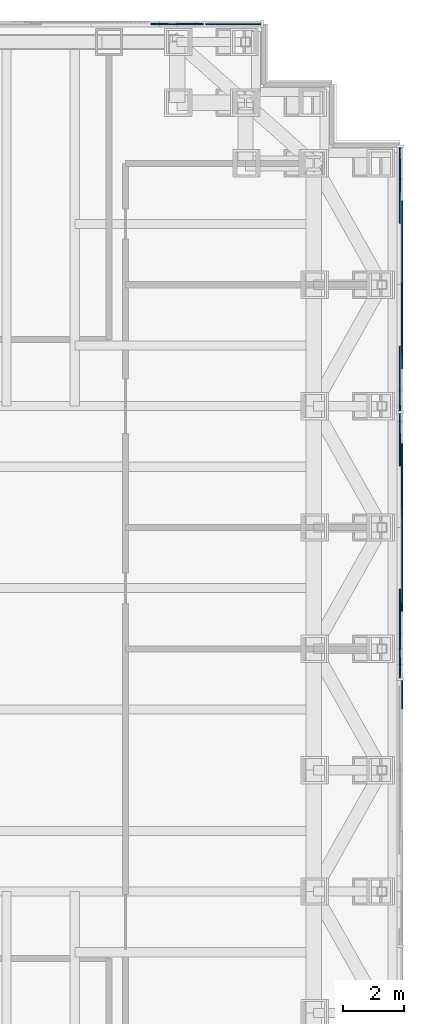
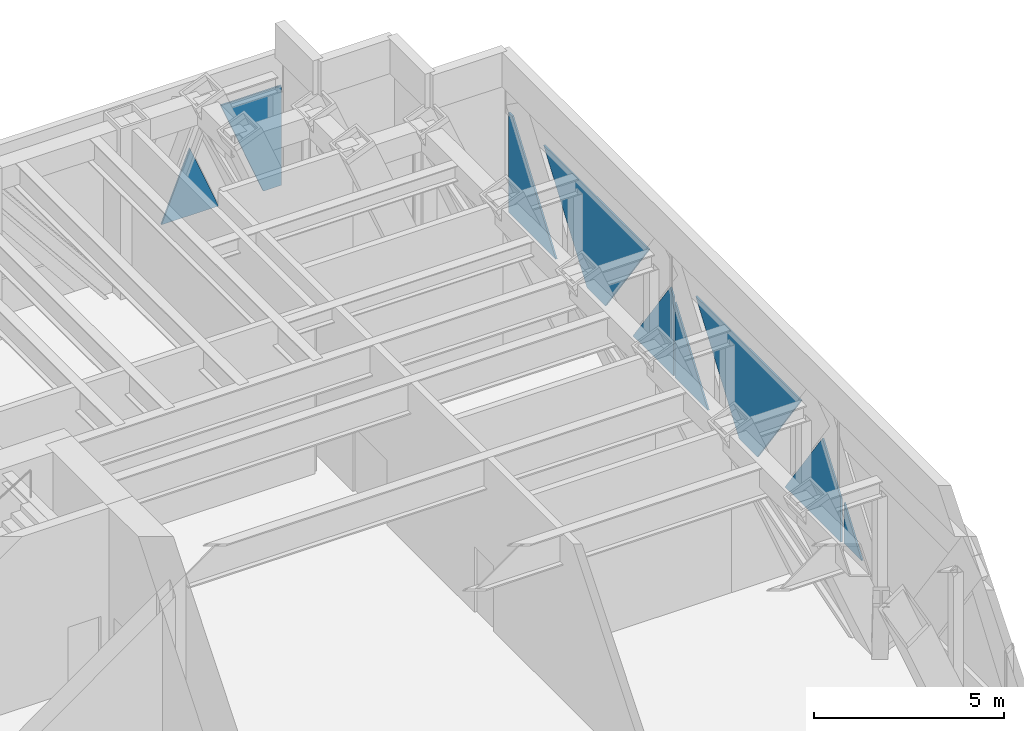
# One storey, part 11 of 17: 9 plates, 2 elements without a shape of their own.
"""IFC4 building model written with IfcOpenShell, lengths in metres."""

from ifc_helpers import new_model, si_unit, direction, frame, origin, place, context, subcontext, project, spatial, polyline, outline, extrude, material, layer, layer_set, type_object, element, aggregate, save


model = new_model("IFC4")

# Units and contexts
model_context = context("Model", 3, precision=1e-05, world=origin(), true_north=direction((0.0, 1.0)))
body_context = subcontext(model_context, "Body", "Model", "MODEL_VIEW")
ifc_project = project(units=[si_unit("LENGTHUNIT", "METRE"), si_unit("AREAUNIT", "SQUARE_METRE"), si_unit("VOLUMEUNIT", "CUBIC_METRE"), si_unit("PLANEANGLEUNIT", "RADIAN"), si_unit("MASSUNIT", "GRAM", prefix="KILO")], contexts=[model_context])

# Site, building, storey
site_placement = place(None, origin())
site = spatial("IfcSite", under=ifc_project, at=site_placement, CompositionType="ELEMENT")
building_placement = place(site_placement, origin())
building = spatial("IfcBuilding", under=site, at=building_placement, Name="Rheinbord Bourse Tower", CompositionType="ELEMENT")
storey_placement = place(building_placement, frame((0.0, 0.0, 265.60009765625)))
storey = spatial("IfcBuildingStorey", under=building, at=storey_placement, Name="L60", CompositionType="ELEMENT", Elevation=265.60009765625)

# Curtain wall, plates
ifc_material_1 = material(Name="Dark glass and black aluminium", Category="aluminium")
curtain_wall_type = type_object("IfcCurtainWallType", Name="CW5 DARK GLASS CURTAIN WALL", PredefinedType="USERDEFINED", material=ifc_material_1)
curtain_wall_1_placement = place(storey_placement, origin())
curtain_wall_1 = element("IfcCurtainWall", 1, at=curtain_wall_1_placement, inside=storey, type_object=curtain_wall_type, Name="Curtain wall CW5 E L60", ObjectType="UNITISED CURTAIN WALL", PredefinedType="USERDEFINED")
ifc_material_2 = material(Name="Dark tinted triple insulating glass", Category="glass")
ifc_layer = layer(ifc_material_2, 0.050048828125)
ifc_layer_set = layer_set([ifc_layer], Name="CW5 DARK GLASS PANEL")
plate_type = type_object("IfcPlateType", Name="CW5 DARK GLASS PANEL", PredefinedType="CURTAIN_PANEL", material=ifc_layer_set)
plate_1_placement = place(storey_placement, frame((72.68017578125, 22.9599609375, 1.14990234375), z_axis=(-1.0, 0.0, 0.0), x_axis=(0.0, -1.0, 0.0)))
plate_1 = element("IfcPlate", 2, at=plate_1_placement, type_object=plate_type, Name="CW5 glass facet 4", PredefinedType="CURTAIN_PANEL", context=body_context, shape_type="SweptSolid", body=[
    extrude(outline(polyline([(0.0, 0.0), (0.93408203125, 0.0), (0.0, 1.304931640625), (0.0, 0.0)])), origin(), (0.0, 0.0, 1.0), 0.050048828125),
])
plate_2_placement = place(storey_placement, frame((72.625, 23.0400390625, 1.14990234375), z_axis=(-1.0, 0.0, 0.0), x_axis=(0.0, 0.0, 1.0)))
plate_2 = element("IfcPlate", 3, at=plate_2_placement, type_object=plate_type, Name="CW5 glass facet 1", PredefinedType="CURTAIN_PANEL", context=body_context, shape_type="SweptSolid", body=[
    extrude(outline(polyline([(0.0, 0.0), (1.4169921875, 0.0), (2.758056640625, 0.9599609375), (0.0, 2.93408203125), (0.0, 0.0)])), origin(), (0.0, 0.0, 1.0), 0.050048828125),
])
plate_3_placement = place(storey_placement, frame((72.68017578125, 27.52197265625, 1.14990234375), z_axis=(-1.0, 0.0, 0.0), x_axis=(0.0, -0.581971584449, 0.813209121256)))
plate_3 = element("IfcPlate", 4, at=plate_3_placement, type_object=plate_type, Name="CW5 glass facet 2", PredefinedType="CURTAIN_PANEL", context=body_context, shape_type="SweptSolid", body=[
    extrude(outline(polyline([(0.0, 0.0), (3.93505859375, 0.0), (0.713134765625, 4.501953125), (-0.556396484375, 0.777587890625), (0.0, 0.0)])), origin(), (0.0, 0.0, 1.0), 0.050048828125),
])
plate_4_placement = place(storey_placement, frame((72.625, 31.760009765625, 1.14990234375), z_axis=(-1.0, 0.0, 0.0), x_axis=(0.0, -1.0, 0.0)))
plate_4 = element("IfcPlate", 5, at=plate_4_placement, type_object=plate_type, Name="CW5 glass facet 3", PredefinedType="CURTAIN_PANEL", context=body_context, shape_type="SweptSolid", body=[
    extrude(outline(polyline([(0.0, 0.0), (1.734130859375, 0.0), (0.0, 2.423095703125), (0.0, 0.0)])), origin(), (0.0, 0.0, 1.0), 0.050048828125),
])
plate_5_placement = place(storey_placement, frame((72.625, 31.840087890625, 1.14990234375), z_axis=(-1.0, 0.0, 0.0), x_axis=(0.0, 0.0, 1.0)))
plate_5 = element("IfcPlate", 6, at=plate_5_placement, type_object=plate_type, Name="CW5 glass facet 1", PredefinedType="CURTAIN_PANEL", context=body_context, shape_type="SweptSolid", body=[
    extrude(outline(polyline([(0.0, 0.0), (2.534912109375, 0.0), (2.758056640625, 0.159912109375), (0.0, 2.134033203125), (0.0, 0.0)])), origin(), (0.0, 0.0, 1.0), 0.050048828125),
])
plate_6_placement = place(storey_placement, frame((72.68017578125, 35.52197265625, 1.14990234375), z_axis=(-1.0, 0.0, 0.0), x_axis=(0.0, -0.581971584449, 0.813209121256)))
plate_6 = element("IfcPlate", 7, at=plate_6_placement, type_object=plate_type, Name="CW5 glass facet 2", PredefinedType="CURTAIN_PANEL", context=body_context, shape_type="SweptSolid", body=[
    extrude(outline(polyline([(0.0, 0.0), (3.93505859375, 0.0), (0.713134765625, 4.501953125), (-0.556396484375, 0.777587890625), (0.0, 0.0)])), origin(), (0.0, 0.0, 1.0), 0.050048828125),
])
plate_7_placement = place(storey_placement, frame((72.625, 40.52001953125, 4.349853515625), z_axis=(-1.0, 0.0, 0.0), x_axis=(0.0, 0.0, -1.0)))
plate_7 = element("IfcPlate", 8, at=plate_7_placement, type_object=plate_type, Name="CW5 glass facet 3", PredefinedType="CURTAIN_PANEL", context=body_context, shape_type="SweptSolid", body=[
    extrude(outline(polyline([(0.0, 0.0), (3.199951171875, 0.0), (3.199951171875, 2.494140625), (0.0, 0.2041015625), (0.0, 0.0)])), origin(), (0.0, 0.0, 1.0), 0.050048828125),
])
aggregate(curtain_wall_1, [plate_1, plate_2, plate_3, plate_4, plate_5, plate_6, plate_7])

curtain_wall_2_placement = place(storey_placement, origin())
curtain_wall_2 = element("IfcCurtainWall", 9, at=curtain_wall_2_placement, inside=storey, type_object=curtain_wall_type, Name="Curtain wall CW5 N L60", ObjectType="UNITISED CURTAIN WALL", PredefinedType="USERDEFINED")
plate_8_placement = place(storey_placement, frame((68.02001953125, 44.625, 1.14990234375), z_axis=(0.0, -1.0, 0.0), x_axis=(0.0, 0.0, 1.0)))
plate_8 = element("IfcPlate", 10, at=plate_8_placement, type_object=plate_type, Name="CW5 glass facet 1", PredefinedType="CURTAIN_PANEL", context=body_context, shape_type="SweptSolid", body=[
    extrude(outline(polyline([(0.0, 0.0), (3.199951171875, 0.0), (3.199951171875, 1.833984375), (0.0, 0.5458984375), (0.0, 0.0)])), origin(), (0.0, 0.0, 1.0), 0.050048828125),
])
plate_9_placement = place(storey_placement, frame((66.116943359375, 44.625, 1.14990234375), z_axis=(0.0, -1.0, 0.0), x_axis=(-0.373365814566, 0.0, 0.927684196542)))
plate_9 = element("IfcPlate", 11, at=plate_9_placement, type_object=plate_type, Name="CW5 glass facet 2", PredefinedType="CURTAIN_PANEL", context=body_context, shape_type="SweptSolid", body=[
    extrude(outline(polyline([(0.0, 0.0), (2.322021484375, 0.0), (0.6474609375, 1.6083984375), (0.0, 0.0)])), origin(), (0.0, 0.0, 1.0), 0.050048828125),
])
aggregate(curtain_wall_2, [plate_8, plate_9])

save(model, "model.ifc")
